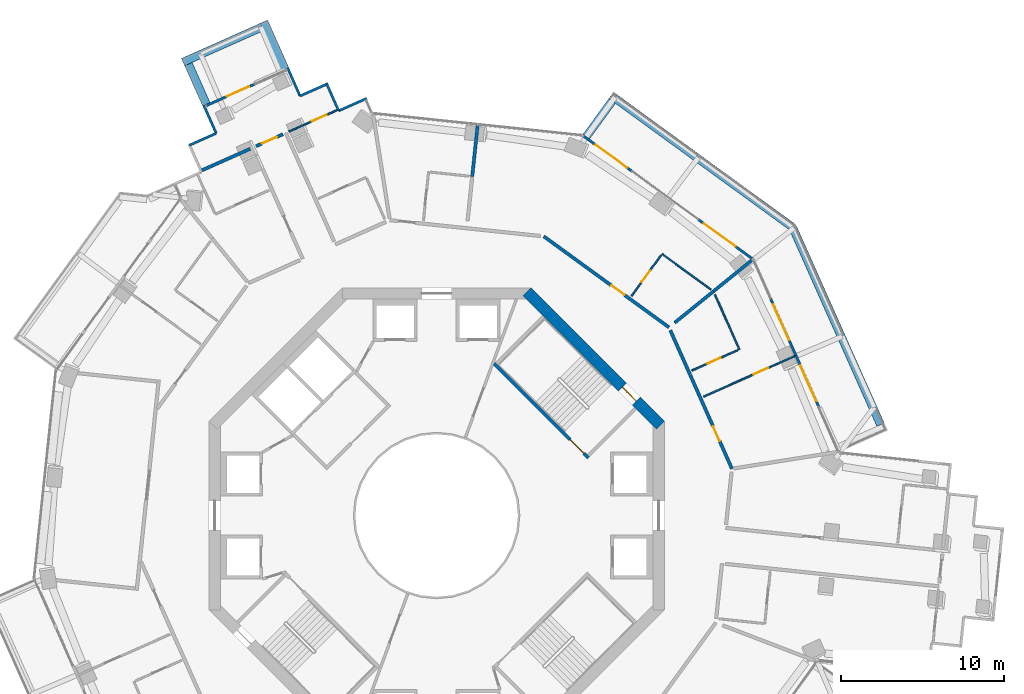
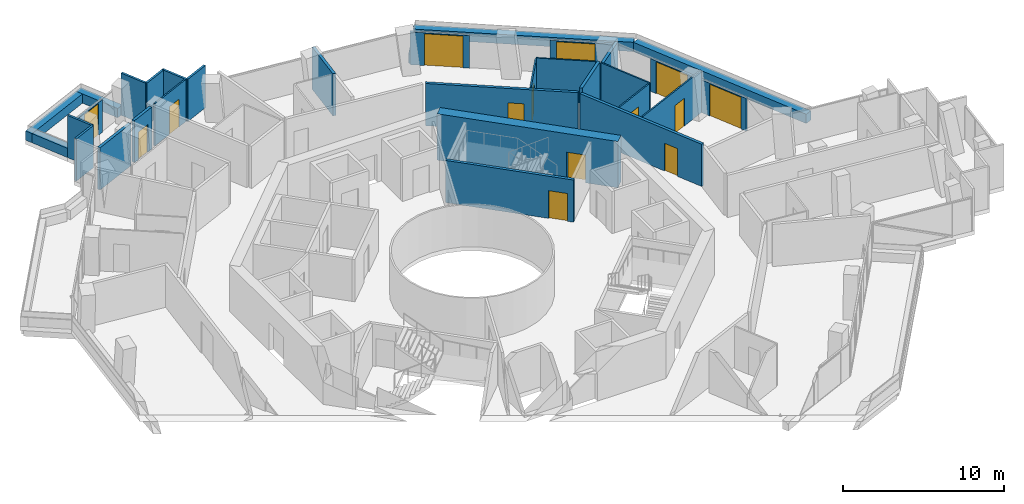
# One storey, part 20 of 23: 32 walls, 14 doors, 14 openings.
"""IFC4 building model written with IfcOpenShell, lengths in metres."""

import ifcopenshell
import ifcopenshell.guid

model = None  # the IFC model being written
_history = None  # IfcOwnerHistory: only IFC2X3 demands one
_inside = {}  # id of a spatial element -> (the spatial element, [elements in it])
_under = {}  # id of a project, library or spatial element -> (it, [spatial elements below it])
_declared = {}  # id of a project -> (the project, [libraries it declares])
_typed = {}  # id of a type object -> (the type object, [elements of that type])
_made_of = {}  # id of a material, layer set ... -> (it, [elements and type objects made of it])


def new_model(schema):
    """Start an empty IFC model of exactly this schema.

    Asked for "IFC4X3", IfcOpenShell would pick the latest addendum, in which some entities
    have other attributes; the version numbers below select the first issue.
    IFC2X3 requires an IfcOwnerHistory on every rooted entity: one is made here for all.
    """
    global model, _history
    if schema == "IFC4X3":
        model = ifcopenshell.file(schema_version=(4, 3, 0, 0))
    else:
        model = ifcopenshell.file(schema=schema)
    _inside.clear()
    _under.clear()
    _declared.clear()
    _typed.clear()
    _made_of.clear()
    _history = None
    if model.schema == "IFC2X3":
        org = make("IfcOrganization", Name="unknown")
        user = make(
            "IfcPersonAndOrganization",
            ThePerson=make("IfcPerson", FamilyName="unknown"),
            TheOrganization=org,
        )
        app = make(
            "IfcApplication",
            ApplicationDeveloper=org,
            Version="unknown",
            ApplicationFullName="unknown",
            ApplicationIdentifier="unknown",
        )
        _history = make(
            "IfcOwnerHistory",
            OwningUser=user,
            OwningApplication=app,
            ChangeAction="ADDED",
            CreationDate=0,
        )
    return model


def make(cls, **values):
    """One entity of the class cls with the attributes given. An attribute that is None is left unset."""
    return model.create_entity(
        cls, **{name: value for name, value in values.items() if value is not None}
    )


def rooted(cls, **values):
    """An entity with a GlobalId (a new one), such as an element, a storey or a relation."""
    return make(cls, GlobalId=ifcopenshell.guid.new(), OwnerHistory=_history, **values)


def si_unit(unit_type, name, prefix=None):
    """IfcSIUnit, for example si_unit("LENGTHUNIT", "METRE", prefix="MILLI")."""
    return make("IfcSIUnit", UnitType=unit_type, Prefix=prefix, Name=name)


def assignment(units):
    """IfcUnitAssignment: the units of a project."""
    return None if units is None else make("IfcUnitAssignment", Units=units)


def point(xyz):
    """IfcCartesianPoint."""
    return None if xyz is None else make("IfcCartesianPoint", Coordinates=xyz)


def direction(xyz):
    """IfcDirection."""
    return None if xyz is None else make("IfcDirection", DirectionRatios=xyz)


def frame(location, z_axis=None, x_axis=None):
    """IfcAxis2Placement3D, a coordinate frame: its origin and axes. An axis left out is left unset."""
    return make(
        "IfcAxis2Placement3D",
        Location=point(location),
        Axis=direction(z_axis),
        RefDirection=direction(x_axis),
    )


def frame_2d(location, x_axis=None):
    """IfcAxis2Placement2D, a coordinate frame in the plane: its origin and x axis."""
    return make(
        "IfcAxis2Placement2D", Location=point(location), RefDirection=direction(x_axis)
    )


def origin():
    """The frame at (0, 0, 0) with its axes left unset."""
    return frame((0.0, 0.0, 0.0))


def place(relative_to, where):
    """IfcLocalPlacement: puts the frame where relative to a parent placement (None: the world)."""
    return make(
        "IfcLocalPlacement", PlacementRelTo=relative_to, RelativePlacement=where
    )


def context(
    kind, dimensions, precision=None, world=None, true_north=None, identifier=None
):
    """IfcGeometricRepresentationContext, for example the 3D "Model" context."""
    return make(
        "IfcGeometricRepresentationContext",
        ContextIdentifier=identifier,
        ContextType=kind,
        CoordinateSpaceDimension=dimensions,
        Precision=precision,
        WorldCoordinateSystem=world,
        TrueNorth=true_north,
    )


def subcontext(parent, identifier, kind, view, scale=None):
    """IfcGeometricRepresentationSubContext, for example "Body" below "Model"."""
    return make(
        "IfcGeometricRepresentationSubContext",
        ContextIdentifier=identifier,
        ContextType=kind,
        ParentContext=parent,
        TargetScale=scale,
        TargetView=view,
    )


def project(units=None, contexts=None):
    """IfcProject with its units and contexts."""
    return rooted(
        "IfcProject",
        Name="project",
        RepresentationContexts=contexts,
        UnitsInContext=assignment(units),
    )


def spatial(cls, under=None, at=None, **own):
    """A site, building, storey or space (cls), placed at a placement, below another one or the project."""
    s = rooted(cls, ObjectPlacement=at, **own)
    if under is not None:
        _under.setdefault(under.id(), (under, []))[1].append(s)
    return s


def profile(cls, at=None, kind="AREA", **sizes):
    """A parametric profile (cls). Its sizes go by their IFC names, for example OverallWidth=200.0."""
    return make(cls, ProfileType=kind, Position=at, **sizes)


def rectangle(**sizes):
    """IfcRectangleProfileDef."""
    return profile("IfcRectangleProfileDef", **sizes)


def extrude(swept, where, along, depth):
    """IfcExtrudedAreaSolid: the profile swept, set in the frame where, extruded along a direction by depth."""
    return make(
        "IfcExtrudedAreaSolid",
        SweptArea=swept,
        Position=where,
        ExtrudedDirection=direction(along),
        Depth=depth,
    )


def shape(context_of_items, identifier, shape_type, items):
    """IfcShapeRepresentation: the items that make up one representation, for example the "Body"."""
    return make(
        "IfcShapeRepresentation",
        ContextOfItems=context_of_items,
        RepresentationIdentifier=identifier,
        RepresentationType=shape_type,
        Items=items,
    )


def material(Name=None, Category=None):
    """IfcMaterial."""
    return make("IfcMaterial", Name=Name, Category=Category)


def layer(
    of_material, thickness, ventilated=None, Name=None, Category=None, Priority=None
):
    """IfcMaterialLayer: one layer of a wall or slab, of a material (None: an air gap)."""
    return make(
        "IfcMaterialLayer",
        Material=of_material,
        LayerThickness=thickness,
        IsVentilated=ventilated,
        Name=Name,
        Category=Category,
        Priority=Priority,
    )


def layer_set(layers, Name=None):
    """IfcMaterialLayerSet."""
    return make("IfcMaterialLayerSet", MaterialLayers=layers, LayerSetName=Name)


def made_of(thing, what):
    """Note that an element or type object is made of a material, layer set ...; save() writes the relation."""
    if what is not None:
        _made_of.setdefault(what.id(), (what, []))[1].append(thing)
    return thing


def type_object(cls, material=None, **own):
    """A type object (cls), such as IfcWallType, which elements share."""
    return made_of(rooted(cls, **own), material)


def element(
    cls,
    number,
    at=None,
    inside=None,
    cuts=None,
    type_object=None,
    material=None,
    context=None,
    identifier="Body",
    shape_type=None,
    held_by="IfcProductDefinitionShape",
    body=None,
    shapes=None,
    **own,
):
    """One element of the class cls, such as IfcWall. Its Tag is "e" and its number.

    at: its placement. inside: the storey or other place that contains it. cuts: it is an
    opening in that element (IfcRelVoidsElement). A single representation is given by context,
    identifier, shape_type and body (its items); several are given by shapes. held_by: the class
    of the entity that holds the representations. save() writes the other relations.
    """
    e = rooted(cls, Tag="e%d" % number, ObjectPlacement=at, **own)
    if body is not None:
        shapes = [shape(context, identifier, shape_type, body)]
    if shapes is not None:
        e.Representation = make(held_by, Representations=shapes)
    if inside is not None:
        _inside.setdefault(inside.id(), (inside, []))[1].append(e)
    if cuts is not None:
        rooted(
            "IfcRelVoidsElement", RelatingBuildingElement=cuts, RelatedOpeningElement=e
        )
    if type_object is not None:
        _typed.setdefault(type_object.id(), (type_object, []))[1].append(e)
    return made_of(e, material)


def fill(opening, filler):
    """IfcRelFillsElement: the door or window that sits in an opening."""
    return rooted(
        "IfcRelFillsElement",
        RelatingOpeningElement=opening,
        RelatedBuildingElement=filler,
    )


def aggregate(whole, parts):
    """IfcRelAggregates: a whole, such as a stair, and the parts it consists of."""
    return rooted("IfcRelAggregates", RelatingObject=whole, RelatedObjects=parts)


def save(model, path):
    """Write the relations noted so far, then the file.

    IfcRelAggregates (storeys below a building ...), IfcRelContainedInSpatialStructure (elements
    in a storey), IfcRelDefinesByType, IfcRelAssociatesMaterial and IfcRelDeclares: one each for
    every whole, place, type object, material and project.
    """
    for whole, parts in _under.values():
        aggregate(whole, parts)
    for where, things in _inside.values():
        rooted(
            "IfcRelContainedInSpatialStructure",
            RelatedElements=things,
            RelatingStructure=where,
        )
    for kind, things in _typed.values():
        rooted("IfcRelDefinesByType", RelatedObjects=things, RelatingType=kind)
    for what, things in _made_of.values():
        rooted("IfcRelAssociatesMaterial", RelatedObjects=things, RelatingMaterial=what)
    for by, libraries in _declared.values():
        rooted("IfcRelDeclares", RelatingContext=by, RelatedDefinitions=libraries)
    model.write(path)


model = new_model("IFC4")

# Units and contexts
model_context = context("Model", 3, precision=1e-05, world=origin(), true_north=direction((0.0, 1.0)))
body_context = subcontext(model_context, "Body", "Model", "MODEL_VIEW")
ifc_project = project(units=[si_unit("LENGTHUNIT", "METRE"), si_unit("AREAUNIT", "SQUARE_METRE"), si_unit("VOLUMEUNIT", "CUBIC_METRE"), si_unit("PLANEANGLEUNIT", "RADIAN"), si_unit("MASSUNIT", "GRAM", prefix="KILO")], contexts=[model_context])

# Site, building, storey
site_placement = place(None, origin())
site = spatial("IfcSite", under=ifc_project, at=site_placement, CompositionType="ELEMENT")
building_placement = place(site_placement, origin())
building = spatial("IfcBuilding", under=site, at=building_placement, Name="Verdalira Terraces Hotel", CompositionType="ELEMENT")
storey_placement = place(building_placement, frame((0.0, 0.0, 133.0)))
storey = spatial("IfcBuildingStorey", under=building, at=storey_placement, Name="L31", CompositionType="ELEMENT", Elevation=133.0)

# Walls
ifc_material_1 = material(Name="Concrete C40", Category="concrete")
ifc_layer_1 = layer(ifc_material_1, 0.5)
ifc_layer_set_1 = layer_set([ifc_layer_1], Name="Balcony planter trough with tree")
wall_type_1 = type_object("IfcWallType", Name="Balcony planter trough with tree", PredefinedType="SOLIDWALL", material=ifc_layer_set_1)
wall_1_placement = place(storey_placement, frame((-9.317139, 27.442139, 0.0), z_axis=(0.0, 0.0, 1.0), x_axis=(-0.406775663, 0.913528084, 0.0)))
element("IfcWall", 1, at=wall_1_placement, inside=storey, type_object=wall_type_1, Name="Balcony planter", PredefinedType="SOLIDWALL", context=body_context, shape_type="SweptSolid", body=[
    extrude(rectangle(XDim=3.198975, YDim=0.5, at=frame_2d((1.599609, 0.0))), origin(), (0.0, 0.0, 1.0), 0.699951),
])
wall_2_placement = place(storey_placement, frame((-10.745117, 30.034424, 0.0), z_axis=(0.0, 0.0, 1.0), x_axis=(-0.913558727, -0.406706838, 0.0)))
element("IfcWall", 2, at=wall_2_placement, inside=storey, type_object=wall_type_1, Name="Balcony planter", PredefinedType="SOLIDWALL", context=body_context, shape_type="SweptSolid", body=[
    extrude(rectangle(XDim=5.300049, YDim=0.5, at=frame_2d((2.649902, 0.0))), origin(), (0.0, 0.0, 1.0), 0.699951),
])
wall_3_placement = place(storey_placement, frame((-15.256836, 27.752197, 0.0), z_axis=(0.0, 0.0, 1.0), x_axis=(0.406751006, -0.913539063, 0.0)))
element("IfcWall", 3, at=wall_3_placement, inside=storey, type_object=wall_type_1, Name="Balcony planter", PredefinedType="SOLIDWALL", context=body_context, shape_type="SweptSolid", body=[
    extrude(rectangle(XDim=2.699219, YDim=0.5, at=frame_2d((1.349609, 0.0))), origin(), (0.0, 0.0, 1.0), 0.699951),
])
wall_4_placement = place(storey_placement, frame((27.296387, 5.585449, 0.0), z_axis=(0.0, 0.0, 1.0), x_axis=(-0.406737947, 0.913544877, 0.0)))
element("IfcWall", 4, at=wall_4_placement, inside=storey, type_object=wall_type_1, Name="Balcony planter", PredefinedType="SOLIDWALL", context=body_context, shape_type="SweptSolid", body=[
    extrude(rectangle(XDim=13.223389, YDim=0.5, at=frame_2d((6.611816, 0.0))), origin(), (0.0, 0.0, 1.0), 0.699951),
])
wall_5_placement = place(storey_placement, frame((21.83667, 17.766113, 0.0), z_axis=(0.0, 0.0, 1.0), x_axis=(-0.809019092, 0.587782365, 0.0)))
element("IfcWall", 5, at=wall_5_placement, inside=storey, type_object=wall_type_1, Name="Balcony planter", PredefinedType="SOLIDWALL", context=body_context, shape_type="SweptSolid", body=[
    extrude(rectangle(XDim=13.723389, YDim=0.5, at=frame_2d((6.861816, 0.0))), origin(), (0.0, 0.0, 1.0), 0.699951),
])
wall_6_placement = place(storey_placement, frame((10.789307, 25.483398, 0.0), z_axis=(0.0, 0.0, 1.0), x_axis=(-0.587773626, -0.809025441, 0.0)))
element("IfcWall", 6, at=wall_6_placement, inside=storey, type_object=wall_type_1, Name="Balcony planter", PredefinedType="SOLIDWALL", context=body_context, shape_type="SweptSolid", body=[
    extrude(rectangle(XDim=2.698975, YDim=0.5, at=frame_2d((1.349609, 0.0))), origin(), (0.0, 0.0, 1.0), 0.699951),
])

# Wall, opening, door
ifc_material_2 = material(Name="Moisture-resistant gypsum board partition")
ifc_layer_2 = layer(ifc_material_2, 0.10009765625)
ifc_layer_set_2 = layer_set([ifc_layer_2], Name="Bathroom partition 100 mm")
wall_type_2 = type_object("IfcWallType", Name="Bathroom partition 100 mm", PredefinedType="PARTITIONING", material=ifc_layer_set_2)
wall_7_placement = place(storey_placement, frame((-6.11499, 24.926025, 0.0), z_axis=(0.0, 0.0, 1.0), x_axis=(-0.913573013, -0.406674748, 0.0)))
wall_7 = element("IfcWall", 7, at=wall_7_placement, inside=storey, type_object=wall_type_2, Name="Bathroom partition", PredefinedType="PARTITIONING", context=body_context, shape_type="SweptSolid", body=[
    extrude(rectangle(XDim=3.251953, YDim=0.100098, at=frame_2d((1.625977, 0.0))), origin(), (0.0, 0.0, 1.0), 3.189941),
])
opening_1_placement = place(wall_7_placement, frame((0.699951, 0.0, 0.0)))
opening_1 = element("IfcOpeningElement", 8, at=opening_1_placement, cuts=wall_7, Name="Opening L31-102", PredefinedType="OPENING", context=body_context, shape_type="SweptSolid", body=[
    extrude(rectangle(XDim=1.0, YDim=2.100098, at=frame_2d((0.5, 1.050049))), frame((0.0, 0.060059, 0.0), z_axis=(0.0, -1.0, 0.0), x_axis=(1.0, 0.0, 0.0)), (0.0, 0.0, 1.0), 0.120117),
])
ifc_material_3 = material(Name="Timber door", Category="wood")
door_type_1 = type_object("IfcDoorType", Name="Suite internal door 1000 x 2100", OperationType="NOTDEFINED", PredefinedType="DOOR", material=ifc_material_3)
door_1_placement = place(opening_1_placement, origin())
door_1 = element("IfcDoor", 9, at=door_1_placement, inside=storey, type_object=door_type_1, Name="Suite internal door 3101", OperationType="SINGLE_SWING_LEFT", OverallHeight=2.10009765625, OverallWidth=1.0, PredefinedType="DOOR", context=body_context, shape_type="SweptSolid", body=[
    extrude(rectangle(XDim=1.0, YDim=2.100098, at=frame_2d((0.5, 1.050049))), frame((0.0, 0.024902, 0.0), z_axis=(0.0, -1.0, 0.0), x_axis=(1.0, 0.0, 0.0)), (0.0, 0.0, 1.0), 0.050049),
])
fill(opening_1, door_1)

wall_8_placement = place(storey_placement, frame((13.800293, 16.00293, 0.0), z_axis=(0.0, 0.0, 1.0), x_axis=(-0.58778294, -0.809018674, 0.0)))
wall_8 = element("IfcWall", 10, at=wall_8_placement, inside=storey, type_object=wall_type_2, Name="Bathroom partition", PredefinedType="PARTITIONING", context=body_context, shape_type="SweptSolid", body=[
    extrude(rectangle(XDim=3.099854, YDim=0.100098, at=frame_2d((1.549805, 0.0))), origin(), (0.0, 0.0, 1.0), 3.189941),
])
opening_2_placement = place(wall_8_placement, frame((1.149902, 0.0, 0.0)))
opening_2 = element("IfcOpeningElement", 11, at=opening_2_placement, cuts=wall_8, Name="Opening L31-130", PredefinedType="OPENING", context=body_context, shape_type="SweptSolid", body=[
    extrude(rectangle(XDim=0.899902, YDim=2.100098, at=frame_2d((0.449951, 1.050049))), frame((0.0, 0.060059, 0.0), z_axis=(0.0, -1.0, 0.0), x_axis=(1.0, 0.0, 0.0)), (0.0, 0.0, 1.0), 0.120117),
])
ifc_material_4 = material(Name="Timber door", Category="wood")
door_type_2 = type_object("IfcDoorType", Name="Bathroom door 900 x 2100", OperationType="NOTDEFINED", PredefinedType="DOOR", material=ifc_material_4)
door_2_placement = place(opening_2_placement, origin())
door_2 = element("IfcDoor", 12, at=door_2_placement, inside=storey, type_object=door_type_2, Name="Bathroom door 3111", OperationType="SINGLE_SWING_LEFT", OverallHeight=2.10009765625, OverallWidth=0.89990234375, PredefinedType="DOOR", context=body_context, shape_type="SweptSolid", body=[
    extrude(rectangle(XDim=0.899902, YDim=2.100098, at=frame_2d((0.449951, 1.050049))), frame((0.0, 0.024902, 0.0), z_axis=(0.0, -1.0, 0.0), x_axis=(1.0, 0.0, 0.0)), (0.0, 0.0, 1.0), 0.050049),
])
fill(opening_2, door_2)

# Wall
wall_9_placement = place(storey_placement, frame((13.859131, 16.083984, 0.0), z_axis=(0.0, 0.0, 1.0), x_axis=(0.808994891, -0.587815674, 0.0)))
element("IfcWall", 13, at=wall_9_placement, inside=storey, type_object=wall_type_2, Name="Bathroom partition", PredefinedType="PARTITIONING", context=body_context, shape_type="SweptSolid", body=[
    extrude(rectangle(XDim=3.710938, YDim=0.100098, at=frame_2d((1.855469, 0.0))), origin(), (0.0, 0.0, 1.0), 3.189941),
])

# Wall, opening, door
wall_10_placement = place(storey_placement, frame((15.690674, 8.910645, 0.0), z_axis=(0.0, 0.0, 1.0), x_axis=(0.913564558, 0.40669374, 0.0)))
wall_10 = element("IfcWall", 14, at=wall_10_placement, inside=storey, type_object=wall_type_2, Name="Bathroom partition", PredefinedType="PARTITIONING", context=body_context, shape_type="SweptSolid", body=[
    extrude(rectangle(XDim=3.100098, YDim=0.100098, at=frame_2d((1.550049, 0.0))), origin(), (0.0, 0.0, 1.0), 3.189941),
])
opening_3_placement = place(wall_10_placement, frame((1.050049, 0.0, 0.0)))
opening_3 = element("IfcOpeningElement", 15, at=opening_3_placement, cuts=wall_10, Name="Opening L31-128", PredefinedType="OPENING", context=body_context, shape_type="SweptSolid", body=[
    extrude(rectangle(XDim=0.899902, YDim=2.100098, at=frame_2d((0.449951, 1.050049))), frame((0.0, 0.060059, 0.0), z_axis=(0.0, -1.0, 0.0), x_axis=(1.0, 0.0, 0.0)), (0.0, 0.0, 1.0), 0.120117),
])
door_3_placement = place(opening_3_placement, origin())
door_3 = element("IfcDoor", 16, at=door_3_placement, inside=storey, type_object=door_type_2, Name="Bathroom door 3110", OperationType="SINGLE_SWING_RIGHT", OverallHeight=2.10009765625, OverallWidth=0.89990234375, PredefinedType="DOOR", context=body_context, shape_type="SweptSolid", body=[
    extrude(rectangle(XDim=0.899902, YDim=2.100098, at=frame_2d((0.449951, 1.050049))), frame((0.0, 0.024902, 0.0), z_axis=(0.0, -1.0, 0.0), x_axis=(1.0, 0.0, 0.0)), (0.0, 0.0, 1.0), 0.050049),
])
fill(opening_3, door_3)

# Wall
wall_11_placement = place(storey_placement, frame((18.614014, 10.212158, 0.0), z_axis=(0.0, 0.0, 1.0), x_axis=(-0.406743817, 0.913542263, 0.0)))
element("IfcWall", 17, at=wall_11_placement, inside=storey, type_object=wall_type_2, Name="Bathroom partition", PredefinedType="PARTITIONING", context=body_context, shape_type="SweptSolid", body=[
    extrude(rectangle(XDim=3.704102, YDim=0.100098, at=frame_2d((1.852051, 0.0))), origin(), (0.0, 0.0, 1.0), 3.189941),
])

# Wall, opening, door
wall_12_placement = place(storey_placement, frame((16.405762, 7.304199, 0.0), z_axis=(0.0, 0.0, 1.0), x_axis=(0.913546162, 0.406735062, 0.0)))
wall_12 = element("IfcWall", 18, at=wall_12_placement, inside=storey, type_object=wall_type_2, Name="Bathroom partition", PredefinedType="PARTITIONING", context=body_context, shape_type="SweptSolid", body=[
    extrude(rectangle(XDim=6.150146, YDim=0.100098, at=frame_2d((3.075195, 0.0))), origin(), (0.0, 0.0, 1.0), 3.189941),
])
opening_4_placement = place(wall_12_placement, frame((3.350098, 0.0, 0.0)))
opening_4 = element("IfcOpeningElement", 19, at=opening_4_placement, cuts=wall_12, Name="Opening L31-127", PredefinedType="OPENING", context=body_context, shape_type="SweptSolid", body=[
    extrude(rectangle(XDim=1.0, YDim=2.100098, at=frame_2d((0.5, 1.050049))), frame((0.0, 0.060059, 0.0), z_axis=(0.0, -1.0, 0.0), x_axis=(1.0, 0.0, 0.0)), (0.0, 0.0, 1.0), 0.120117),
])
door_4_placement = place(opening_4_placement, origin())
door_4 = element("IfcDoor", 20, at=door_4_placement, inside=storey, type_object=door_type_1, Name="Suite internal door 3110", OperationType="SINGLE_SWING_LEFT", OverallHeight=2.10009765625, OverallWidth=1.0, PredefinedType="DOOR", context=body_context, shape_type="SweptSolid", body=[
    extrude(rectangle(XDim=1.0, YDim=2.100098, at=frame_2d((0.5, 1.050049))), frame((0.0, 0.024902, 0.0), z_axis=(0.0, -1.0, 0.0), x_axis=(1.0, 0.0, 0.0)), (0.0, 0.0, 1.0), 0.050049),
])
fill(opening_4, door_4)

ifc_material_5 = material(Name="Concrete C50", Category="concrete")
ifc_layer_3 = layer(ifc_material_5, 0.199951171875)
ifc_layer_set_3 = layer_set([ifc_layer_3], Name="Core RC wall 200 C50")
wall_type_3 = type_object("IfcWallType", Name="Core RC wall 200 C50", PredefinedType="SOLIDWALL", material=ifc_layer_set_3)
wall_13_placement = place(storey_placement, frame((3.5354, 9.33374, 0.0), z_axis=(0.0, 0.0, 1.0), x_axis=(0.707106781, -0.707106781, 0.0)))
wall_13 = element("IfcWall", 21, at=wall_13_placement, inside=storey, type_object=wall_type_3, Name="L31 stair ST1 front wall", PredefinedType="SOLIDWALL", context=body_context, shape_type="SweptSolid", body=[
    extrude(rectangle(XDim=8.200195, YDim=0.199951, at=frame_2d((4.100098, 0.0))), origin(), (0.0, 0.0, 1.0), 3.189941),
])
opening_5_placement = place(wall_13_placement, frame((6.600098, 0.0, 0.0)))
opening_5 = element("IfcOpeningElement", 22, at=opening_5_placement, cuts=wall_13, Name="Opening L31-809", PredefinedType="OPENING", context=body_context, shape_type="SweptSolid", body=[
    extrude(rectangle(XDim=1.199951, YDim=2.100098, at=frame_2d((0.600098, 1.050049))), frame((0.0, 0.109863, 0.0), z_axis=(0.0, -1.0, 0.0), x_axis=(1.0, 0.0, 0.0)), (0.0, 0.0, 1.0), 0.219971),
])
ifc_material_6 = material(Name="Steel fire door", Category="steel")
door_type_3 = type_object("IfcDoorType", Name="Stair door 1200 x 2100", OperationType="NOTDEFINED", PredefinedType="DOOR", material=ifc_material_6)
door_5_placement = place(opening_5_placement, origin())
door_5 = element("IfcDoor", 23, at=door_5_placement, inside=storey, type_object=door_type_3, Name="Stair door ST1 L31", OperationType="SINGLE_SWING_RIGHT", OverallHeight=2.10009765625, OverallWidth=1.199951171875, PredefinedType="DOOR", context=body_context, shape_type="SweptSolid", body=[
    extrude(rectangle(XDim=1.199951, YDim=2.100098, at=frame_2d((0.600098, 1.050049))), frame((0.0, 0.024902, 0.0), z_axis=(0.0, -1.0, 0.0), x_axis=(1.0, 0.0, 0.0)), (0.0, 0.0, 1.0), 0.050049),
])
fill(opening_5, door_5)

ifc_material_7 = material(Name="Concrete C60", Category="concrete")
ifc_layer_4 = layer(ifc_material_7, 0.699951171875)
ifc_layer_set_4 = layer_set([ifc_layer_4], Name="Core wall 700 C60")
wall_type_4 = type_object("IfcWallType", Name="Core wall 700 C60", PredefinedType="SHEAR", material=ifc_layer_set_4)
wall_14_placement = place(storey_placement, frame((13.752441, 5.551514, 0.0), z_axis=(0.0, 0.0, 1.0), x_axis=(-0.707106781, 0.707106781, 0.0)))
wall_14 = element("IfcWall", 24, at=wall_14_placement, inside=storey, type_object=wall_type_4, Name="Core wall CW-L31-2", PredefinedType="SHEAR", context=body_context, shape_type="SweptSolid", body=[
    extrude(rectangle(XDim=11.5979, YDim=0.699951, at=frame_2d((5.798828, 0.0))), origin(), (0.0, 0.0, 1.0), 3.5),
])
opening_6_placement = place(wall_14_placement, frame((2.099121, 0.0, 0.0)))
opening_6 = element("IfcOpeningElement", 25, at=opening_6_placement, cuts=wall_14, Name="Opening L31-816", PredefinedType="OPENING", context=body_context, shape_type="SweptSolid", body=[
    extrude(rectangle(XDim=1.199951, YDim=2.100098, at=frame_2d((0.600098, 1.050049))), frame((0.0, 0.359863, 0.0), z_axis=(0.0, -1.0, 0.0), x_axis=(1.0, 0.0, 0.0)), (0.0, 0.0, 1.0), 0.719971),
])
door_6_placement = place(opening_6_placement, origin())
door_6 = element("IfcDoor", 26, at=door_6_placement, inside=storey, type_object=door_type_3, Name="Stair exit door ST1 L31", OperationType="SINGLE_SWING_LEFT", OverallHeight=2.10009765625, OverallWidth=1.199951171875, PredefinedType="DOOR", context=body_context, shape_type="SweptSolid", body=[
    extrude(rectangle(XDim=1.199951, YDim=2.100098, at=frame_2d((0.600098, 1.050049))), frame((0.0, 0.024902, 0.0), z_axis=(0.0, -1.0, 0.0), x_axis=(1.0, 0.0, 0.0)), (0.0, 0.0, 1.0), 0.050049),
])
fill(opening_6, door_6)

# Walls
ifc_material_8 = material(Name="Fire-rated gypsum board wall")
ifc_layer_5 = layer(ifc_material_8, 0.199951171875)
ifc_layer_set_5 = layer_set([ifc_layer_5], Name="Demising wall 200 mm")
wall_type_5 = type_object("IfcWallType", Name="Demising wall 200 mm", PredefinedType="SOLIDWALL", material=ifc_layer_set_5)
wall_15_placement = place(storey_placement, frame((-11.459229, 22.546631, 0.0), z_axis=(0.0, 0.0, 1.0), x_axis=(-0.913573013, -0.406674748, 0.0)))
element("IfcWall", 27, at=wall_15_placement, inside=storey, type_object=wall_type_5, Name="Demising wall", PredefinedType="SOLIDWALL", context=body_context, shape_type="SweptSolid", body=[
    extrude(rectangle(XDim=3.251953, YDim=0.199951, at=frame_2d((1.625977, 0.0))), origin(), (0.0, 0.0, 1.0), 3.189941),
])
wall_16_placement = place(storey_placement, frame((2.19043, 20.841553, 0.0), z_axis=(0.0, 0.0, 1.0), x_axis=(0.104563827, 0.994518178, 0.0)))
element("IfcWall", 28, at=wall_16_placement, inside=storey, type_object=wall_type_5, Name="Demising wall", PredefinedType="SOLIDWALL", context=body_context, shape_type="SweptSolid", body=[
    extrude(rectangle(XDim=3.1521, YDim=0.199951, at=frame_2d((1.576172, 0.0))), origin(), (0.0, 0.0, 1.0), 3.189941),
])
wall_17_placement = place(storey_placement, frame((14.635254, 11.851318, 0.0), z_axis=(0.0, 0.0, 1.0), x_axis=(0.77712644, 0.629344497, 0.0)))
element("IfcWall", 29, at=wall_17_placement, inside=storey, type_object=wall_type_5, Name="Demising wall", PredefinedType="SOLIDWALL", context=body_context, shape_type="SweptSolid", body=[
    extrude(rectangle(XDim=3.072754, YDim=0.199951, at=frame_2d((1.536377, 0.0))), origin(), (0.0, 0.0, 1.0), 3.189941),
])
ifc_material_9 = material(Name="Fire-rated gypsum board wall")
ifc_layer_6 = layer(ifc_material_9, 0.199951171875)
ifc_layer_set_6 = layer_set([ifc_layer_6], Name="Demising wall 200 mm to beam soffit")
wall_type_6 = type_object("IfcWallType", Name="Demising wall 200 mm to beam soffit", PredefinedType="SOLIDWALL", material=ifc_layer_set_6)
wall_18_placement = place(storey_placement, frame((17.023193, 13.785156, 0.0), z_axis=(0.0, 0.0, 1.0), x_axis=(0.777133351, 0.629335963, 0.0)))
element("IfcWall", 30, at=wall_18_placement, inside=storey, type_object=wall_type_6, Name="Demising wall", PredefinedType="SOLIDWALL", context=body_context, shape_type="SweptSolid", body=[
    extrude(rectangle(XDim=3.059326, YDim=0.199951, at=frame_2d((1.529785, 0.0))), origin(), (0.0, 0.0, 1.0), 2.689941),
])

# Wall, opening, door
ifc_material_10 = material(Name="Fire-rated gypsum board wall")
ifc_layer_7 = layer(ifc_material_10, 0.199951171875)
ifc_layer_set_7 = layer_set([ifc_layer_7], Name="Guest corridor wall 200 mm")
wall_type_7 = type_object("IfcWallType", Name="Guest corridor wall 200 mm", PredefinedType="SOLIDWALL", material=ifc_layer_set_7)
wall_19_placement = place(storey_placement, frame((-11.097412, 22.707764, 0.0), z_axis=(0.0, 0.0, 1.0), x_axis=(0.913531954, 0.406766972, 0.0)))
wall_19 = element("IfcWall", 31, at=wall_19_placement, inside=storey, type_object=wall_type_7, Name="Guest corridor wall", PredefinedType="SOLIDWALL", context=body_context, shape_type="SweptSolid", body=[
    extrude(rectangle(XDim=1.801758, YDim=0.199951, at=frame_2d((0.900879, 0.0))), origin(), (0.0, 0.0, 1.0), 3.189941),
])
opening_7_placement = place(wall_19_placement, frame((0.399902, 0.0, 0.0)))
opening_7 = element("IfcOpeningElement", 32, at=opening_7_placement, cuts=wall_19, Name="Opening L31-101", PredefinedType="OPENING", context=body_context, shape_type="SweptSolid", body=[
    extrude(rectangle(XDim=1.0, YDim=2.100098, at=frame_2d((0.5, 1.050049))), frame((0.0, 0.109863, 0.0), z_axis=(0.0, -1.0, 0.0), x_axis=(1.0, 0.0, 0.0)), (0.0, 0.0, 1.0), 0.219971),
])
ifc_material_11 = material(Name="Timber fire door", Category="wood")
door_type_4 = type_object("IfcDoorType", Name="Guest entry door 1000 x 2100", OperationType="NOTDEFINED", PredefinedType="DOOR", material=ifc_material_11)
door_7_placement = place(opening_7_placement, origin())
door_7 = element("IfcDoor", 33, at=door_7_placement, inside=storey, type_object=door_type_4, Name="Guest entry door 3101", OperationType="SINGLE_SWING_LEFT", OverallHeight=2.10009765625, OverallWidth=1.0, PredefinedType="DOOR", context=body_context, shape_type="SweptSolid", body=[
    extrude(rectangle(XDim=1.0, YDim=2.100098, at=frame_2d((0.5, 1.050049))), frame((0.0, 0.024902, 0.0), z_axis=(0.0, -1.0, 0.0), x_axis=(1.0, 0.0, 0.0)), (0.0, 0.0, 1.0), 0.050049),
])
fill(opening_7, door_7)

wall_20_placement = place(storey_placement, frame((6.588867, 17.16333, 0.0), z_axis=(0.0, 0.0, 1.0), x_axis=(0.809014458, -0.587788744, 0.0)))
wall_20 = element("IfcWall", 34, at=wall_20_placement, inside=storey, type_object=wall_type_7, Name="Guest corridor wall", PredefinedType="SOLIDWALL", context=body_context, shape_type="SweptSolid", body=[
    extrude(rectangle(XDim=9.516113, YDim=0.199951, at=frame_2d((4.758057, 0.0))), origin(), (0.0, 0.0, 1.0), 3.189941),
])
opening_8_placement = place(wall_20_placement, frame((5.149902, 0.0, 0.0)))
opening_8 = element("IfcOpeningElement", 35, at=opening_8_placement, cuts=wall_20, Name="Opening L31-129", PredefinedType="OPENING", context=body_context, shape_type="SweptSolid", body=[
    extrude(rectangle(XDim=1.0, YDim=2.100098, at=frame_2d((0.5, 1.050049))), frame((0.0, 0.109863, 0.0), z_axis=(0.0, -1.0, 0.0), x_axis=(1.0, 0.0, 0.0)), (0.0, 0.0, 1.0), 0.219971),
])
door_8_placement = place(opening_8_placement, origin())
door_8 = element("IfcDoor", 36, at=door_8_placement, inside=storey, type_object=door_type_4, Name="Guest entry door 3111", OperationType="SINGLE_SWING_LEFT", OverallHeight=2.10009765625, OverallWidth=1.0, PredefinedType="DOOR", context=body_context, shape_type="SweptSolid", body=[
    extrude(rectangle(XDim=1.0, YDim=2.100098, at=frame_2d((0.5, 1.050049))), frame((0.0, 0.024902, 0.0), z_axis=(0.0, -1.0, 0.0), x_axis=(1.0, 0.0, 0.0)), (0.0, 0.0, 1.0), 0.050049),
])
fill(opening_8, door_8)

wall_21_placement = place(storey_placement, frame((14.368896, 11.387207, 0.0), z_axis=(0.0, 0.0, 1.0), x_axis=(0.406746212, -0.913541197, 0.0)))
wall_21 = element("IfcWall", 37, at=wall_21_placement, inside=storey, type_object=wall_type_7, Name="Guest corridor wall", PredefinedType="SOLIDWALL", context=body_context, shape_type="SweptSolid", body=[
    extrude(rectangle(XDim=9.31665, YDim=0.199951, at=frame_2d((4.658203, 0.0))), origin(), (0.0, 0.0, 1.0), 3.189941),
])
opening_9_placement = place(wall_21_placement, frame((6.458252, 0.0, 0.0)))
opening_9 = element("IfcOpeningElement", 38, at=opening_9_placement, cuts=wall_21, Name="Opening L31-126", PredefinedType="OPENING", context=body_context, shape_type="SweptSolid", body=[
    extrude(rectangle(XDim=1.0, YDim=2.100098, at=frame_2d((0.5, 1.050049))), frame((0.0, 0.109863, 0.0), z_axis=(0.0, -1.0, 0.0), x_axis=(1.0, 0.0, 0.0)), (0.0, 0.0, 1.0), 0.219971),
])
door_9_placement = place(opening_9_placement, origin())
door_9 = element("IfcDoor", 39, at=door_9_placement, inside=storey, type_object=door_type_4, Name="Guest entry door 3110", OperationType="SINGLE_SWING_LEFT", OverallHeight=2.10009765625, OverallWidth=1.0, PredefinedType="DOOR", context=body_context, shape_type="SweptSolid", body=[
    extrude(rectangle(XDim=1.0, YDim=2.100098, at=frame_2d((0.5, 1.050049))), frame((0.0, 0.024902, 0.0), z_axis=(0.0, -1.0, 0.0), x_axis=(1.0, 0.0, 0.0)), (0.0, 0.0, 1.0), 0.050049),
])
fill(opening_9, door_9)

# Walls
ifc_material_12 = material(Name="Terracotta cladding", Category="masonry")
ifc_layer_8 = layer(ifc_material_12, 0.14990234375)
ifc_layer_set_8 = layer_set([ifc_layer_8], Name="Terracotta clad wall 150")
wall_type_8 = type_object("IfcWallType", Name="Terracotta clad wall 150", PredefinedType="SOLIDWALL", material=ifc_layer_set_8)
wall_22_placement = place(storey_placement, frame((-4.304932, 25.649902, 0.0), z_axis=(0.0, 0.0, 1.0), x_axis=(-0.913532126, -0.406766585, 0.0)))
element("IfcWall", 40, at=wall_22_placement, inside=storey, type_object=wall_type_8, Name="Terracotta cladding wall", PredefinedType="SOLIDWALL", context=body_context, shape_type="SweptSolid", body=[
    extrude(rectangle(XDim=1.875, YDim=0.149902, at=frame_2d((0.9375, 0.0))), origin(), (0.0, 0.0, 1.0), 3.189941),
])
wall_23_placement = place(storey_placement, frame((-6.017822, 24.887207, 0.0), z_axis=(0.0, 0.0, 1.0), x_axis=(-0.406729804, 0.913548503, 0.0)))
element("IfcWall", 41, at=wall_23_placement, inside=storey, type_object=wall_type_8, Name="Terracotta cladding wall", PredefinedType="SOLIDWALL", context=body_context, shape_type="SweptSolid", body=[
    extrude(rectangle(XDim=1.800049, YDim=0.149902, at=frame_2d((0.899902, 0.0))), origin(), (0.0, 0.0, 1.0), 3.189941),
])
for number, where, z_axis, x_axis, name in (
    (42, (-6.681396, 26.562256, 0.0), (0.0, 0.0, 1.0), (-0.913532126, -0.406766585, 0.0), "Terracotta cladding wall"),
    (43, (-8.394287, 25.799561, 0.0), (0.0, 0.0, 1.0), (-0.406766585, 0.913532126, 0.0), "Terracotta cladding wall"),
    (44, (-14.318604, 25.214355, 0.0), (0.0, 0.0, 1.0), (0.406766585, -0.913532126, 0.0), "Terracotta cladding wall"),
):
    element("IfcWall", number, at=place(storey_placement, frame(where, z_axis=z_axis, x_axis=x_axis)), inside=storey, type_object=wall_type_8, Name=name, PredefinedType="SOLIDWALL", context=body_context, shape_type="SweptSolid", body=[
        extrude(rectangle(XDim=1.875, YDim=0.149902, at=frame_2d((0.9375, 0.0))), origin(), (0.0, 0.0, 1.0), 3.189941),
    ])
wall_24_placement = place(storey_placement, frame((-13.555908, 23.501465, 0.0), z_axis=(0.0, 0.0, 1.0), x_axis=(-0.913526063, -0.406780202, 0.0)))
element("IfcWall", 45, at=wall_24_placement, inside=storey, type_object=wall_type_8, Name="Terracotta cladding wall", PredefinedType="SOLIDWALL", context=body_context, shape_type="SweptSolid", body=[
    extrude(rectangle(XDim=1.800049, YDim=0.149902, at=frame_2d((0.899902, 0.0))), origin(), (0.0, 0.0, 1.0), 3.189941),
])

# Wall, opening, door
ifc_material_13 = material(Name="Terracotta cladding", Category="masonry")
ifc_layer_9 = layer(ifc_material_13, 0.14990234375)
ifc_layer_set_9 = layer_set([ifc_layer_9], Name="Terracotta door pier 150")
wall_type_9 = type_object("IfcWallType", Name="Terracotta door pier 150", PredefinedType="SOLIDWALL", material=ifc_layer_set_9)
wall_25_placement = place(storey_placement, frame((-11.168213, 26.534912, 0.0), z_axis=(0.0, 0.0, 1.0), x_axis=(-0.91355505, -0.406715098, 0.0)))
wall_25 = element("IfcWall", 46, at=wall_25_placement, inside=storey, type_object=wall_type_9, Name="Terracotta door pier", PredefinedType="SOLIDWALL", context=body_context, shape_type="SweptSolid", body=[
    extrude(rectangle(XDim=3.26001, YDim=0.149902, at=frame_2d((1.629883, 0.0))), origin(), (0.0, 0.0, 1.0), 2.475098),
])
opening_10_placement = place(wall_25_placement, frame((0.399902, 0.0, 0.0)))
opening_10 = element("IfcOpeningElement", 47, at=opening_10_placement, cuts=wall_25, Name="Opening L31-B01", PredefinedType="OPENING", context=body_context, shape_type="SweptSolid", body=[
    extrude(rectangle(XDim=1.5, YDim=2.399902, at=frame_2d((0.75, 1.199951))), frame((0.0, 0.084961, 0.0), z_axis=(0.0, -1.0, 0.0), x_axis=(1.0, 0.0, 0.0)), (0.0, 0.0, 1.0), 0.169922),
])
ifc_material_14 = material(Name="Clear glass", Category="glass")
door_type_5 = type_object("IfcDoorType", Name="Balcony sliding door 1500x2400", OperationType="NOTDEFINED", PredefinedType="DOOR", material=ifc_material_14)
door_10_placement = place(opening_10_placement, origin())
door_10 = element("IfcDoor", 48, at=door_10_placement, inside=storey, type_object=door_type_5, Name="Balcony sliding door", OperationType="SLIDING_TO_RIGHT", OverallHeight=2.39990234375, OverallWidth=1.5, PredefinedType="DOOR", context=body_context, shape_type="SweptSolid", body=[
    extrude(rectangle(XDim=1.5, YDim=2.399902, at=frame_2d((0.75, 1.199951))), frame((0.0, 0.024902, 0.0), z_axis=(0.0, -1.0, 0.0), x_axis=(1.0, 0.0, 0.0)), (0.0, 0.0, 1.0), 0.050049),
])
fill(opening_10, door_10)

wall_26_placement = place(storey_placement, frame((23.505859, 6.661621, 0.0), z_axis=(0.0, 0.0, 1.0), x_axis=(-0.406718549, 0.913553514, 0.0)))
wall_26 = element("IfcWall", 49, at=wall_26_placement, inside=storey, type_object=wall_type_9, Name="Terracotta door pier", PredefinedType="SOLIDWALL", context=body_context, shape_type="SweptSolid", body=[
    extrude(rectangle(XDim=3.474854, YDim=0.149902, at=frame_2d((1.737305, 0.0))), origin(), (0.0, 0.0, 1.0), 2.475098),
])
opening_11_placement = place(wall_26_placement, frame((0.399902, 0.0, 0.0)))
opening_11 = element("IfcOpeningElement", 50, at=opening_11_placement, cuts=wall_26, Name="Opening L31-B11", PredefinedType="OPENING", context=body_context, shape_type="SweptSolid", body=[
    extrude(rectangle(XDim=2.399902, YDim=2.399902, at=frame_2d((1.199951, 1.199951))), frame((0.0, 0.084961, 0.0), z_axis=(0.0, -1.0, 0.0), x_axis=(1.0, 0.0, 0.0)), (0.0, 0.0, 1.0), 0.169922),
])
ifc_material_15 = material(Name="Clear glass", Category="glass")
door_type_6 = type_object("IfcDoorType", Name="Balcony sliding door 2400x2400", OperationType="NOTDEFINED", PredefinedType="DOOR", material=ifc_material_15)
door_11_placement = place(opening_11_placement, origin())
door_11 = element("IfcDoor", 51, at=door_11_placement, inside=storey, type_object=door_type_6, Name="Balcony sliding door", OperationType="SLIDING_TO_RIGHT", OverallHeight=2.39990234375, OverallWidth=2.39990234375, PredefinedType="DOOR", context=body_context, shape_type="SweptSolid", body=[
    extrude(rectangle(XDim=2.399902, YDim=2.399902, at=frame_2d((1.199951, 1.199951))), frame((0.0, 0.024902, 0.0), z_axis=(0.0, -1.0, 0.0), x_axis=(1.0, 0.0, 0.0)), (0.0, 0.0, 1.0), 0.050049),
])
fill(opening_11, door_11)

wall_27_placement = place(storey_placement, frame((22.092529, 9.836182, 0.0), z_axis=(0.0, 0.0, 1.0), x_axis=(-0.406740782, 0.913543615, 0.0)))
wall_27 = element("IfcWall", 52, at=wall_27_placement, inside=storey, type_object=wall_type_9, Name="Terracotta door pier", PredefinedType="SOLIDWALL", context=body_context, shape_type="SweptSolid", body=[
    extrude(rectangle(XDim=3.835449, YDim=0.149902, at=frame_2d((1.917725, 0.0))), origin(), (0.0, 0.0, 1.0), 2.475098),
])
opening_12_placement = place(wall_27_placement, frame((1.0354, 0.0, 0.0)))
opening_12 = element("IfcOpeningElement", 53, at=opening_12_placement, cuts=wall_27, Name="Opening L31-B12", PredefinedType="OPENING", context=body_context, shape_type="SweptSolid", body=[
    extrude(rectangle(XDim=2.399902, YDim=2.399902, at=frame_2d((1.199951, 1.199951))), frame((0.0, 0.084961, 0.0), z_axis=(0.0, -1.0, 0.0), x_axis=(1.0, 0.0, 0.0)), (0.0, 0.0, 1.0), 0.169922),
])
door_12_placement = place(opening_12_placement, origin())
door_12 = element("IfcDoor", 54, at=door_12_placement, inside=storey, type_object=door_type_6, Name="Balcony sliding door", OperationType="SLIDING_TO_LEFT", OverallHeight=2.39990234375, OverallWidth=2.39990234375, PredefinedType="DOOR", context=body_context, shape_type="SweptSolid", body=[
    extrude(rectangle(XDim=2.399902, YDim=2.399902, at=frame_2d((1.199951, 1.199951))), frame((0.0, 0.024902, 0.0), z_axis=(0.0, -1.0, 0.0), x_axis=(1.0, 0.0, 0.0)), (0.0, 0.0, 1.0), 0.050049),
])
fill(opening_12, door_12)

wall_28_placement = place(storey_placement, frame((19.39209, 15.802979, 0.0), z_axis=(0.0, 0.0, 1.0), x_axis=(-0.808990358, 0.587821913, 0.0)))
wall_28 = element("IfcWall", 55, at=wall_28_placement, inside=storey, type_object=wall_type_9, Name="Terracotta door pier", PredefinedType="SOLIDWALL", context=body_context, shape_type="SweptSolid", body=[
    extrude(rectangle(XDim=4.067871, YDim=0.149902, at=frame_2d((2.033936, 0.0))), origin(), (0.0, 0.0, 1.0), 2.475098),
])
opening_13_placement = place(wall_28_placement, frame((1.267822, 0.0, 0.0)))
opening_13 = element("IfcOpeningElement", 56, at=opening_13_placement, cuts=wall_28, Name="Opening L31-B13", PredefinedType="OPENING", context=body_context, shape_type="SweptSolid", body=[
    extrude(rectangle(XDim=2.399902, YDim=2.399902, at=frame_2d((1.199951, 1.199951))), frame((0.0, 0.084961, 0.0), z_axis=(0.0, -1.0, 0.0), x_axis=(1.0, 0.0, 0.0)), (0.0, 0.0, 1.0), 0.169922),
])
door_13_placement = place(opening_13_placement, origin())
door_13 = element("IfcDoor", 57, at=door_13_placement, inside=storey, type_object=door_type_6, Name="Balcony sliding door", OperationType="SLIDING_TO_LEFT", OverallHeight=2.39990234375, OverallWidth=2.39990234375, PredefinedType="DOOR", context=body_context, shape_type="SweptSolid", body=[
    extrude(rectangle(XDim=2.399902, YDim=2.399902, at=frame_2d((1.199951, 1.199951))), frame((0.0, 0.024902, 0.0), z_axis=(0.0, -1.0, 0.0), x_axis=(1.0, 0.0, 0.0)), (0.0, 0.0, 1.0), 0.050049),
])
fill(opening_13, door_13)

wall_29_placement = place(storey_placement, frame((12.038574, 21.145752, 0.0), z_axis=(0.0, 0.0, 1.0), x_axis=(-0.809020557, 0.587780349, 0.0)))
wall_29 = element("IfcWall", 58, at=wall_29_placement, inside=storey, type_object=wall_type_9, Name="Terracotta door pier", PredefinedType="SOLIDWALL", context=body_context, shape_type="SweptSolid", body=[
    extrude(rectangle(XDim=3.709961, YDim=0.149902, at=frame_2d((1.85498, 0.0))), origin(), (0.0, 0.0, 1.0), 2.475098),
])
opening_14_placement = place(wall_29_placement, frame((0.399902, 0.0, 0.0)))
opening_14 = element("IfcOpeningElement", 59, at=opening_14_placement, cuts=wall_29, Name="Opening L31-B14", PredefinedType="OPENING", context=body_context, shape_type="SweptSolid", body=[
    extrude(rectangle(XDim=2.399902, YDim=2.399902, at=frame_2d((1.199951, 1.199951))), frame((0.0, 0.084961, 0.0), z_axis=(0.0, -1.0, 0.0), x_axis=(1.0, 0.0, 0.0)), (0.0, 0.0, 1.0), 0.169922),
])
door_14_placement = place(opening_14_placement, origin())
door_14 = element("IfcDoor", 60, at=door_14_placement, inside=storey, type_object=door_type_6, Name="Balcony sliding door", OperationType="SLIDING_TO_RIGHT", OverallHeight=2.39990234375, OverallWidth=2.39990234375, PredefinedType="DOOR", context=body_context, shape_type="SweptSolid", body=[
    extrude(rectangle(XDim=2.399902, YDim=2.399902, at=frame_2d((1.199951, 1.199951))), frame((0.0, 0.024902, 0.0), z_axis=(0.0, -1.0, 0.0), x_axis=(1.0, 0.0, 0.0)), (0.0, 0.0, 1.0), 0.050049),
])
fill(opening_14, door_14)

save(model, "model.ifc")
